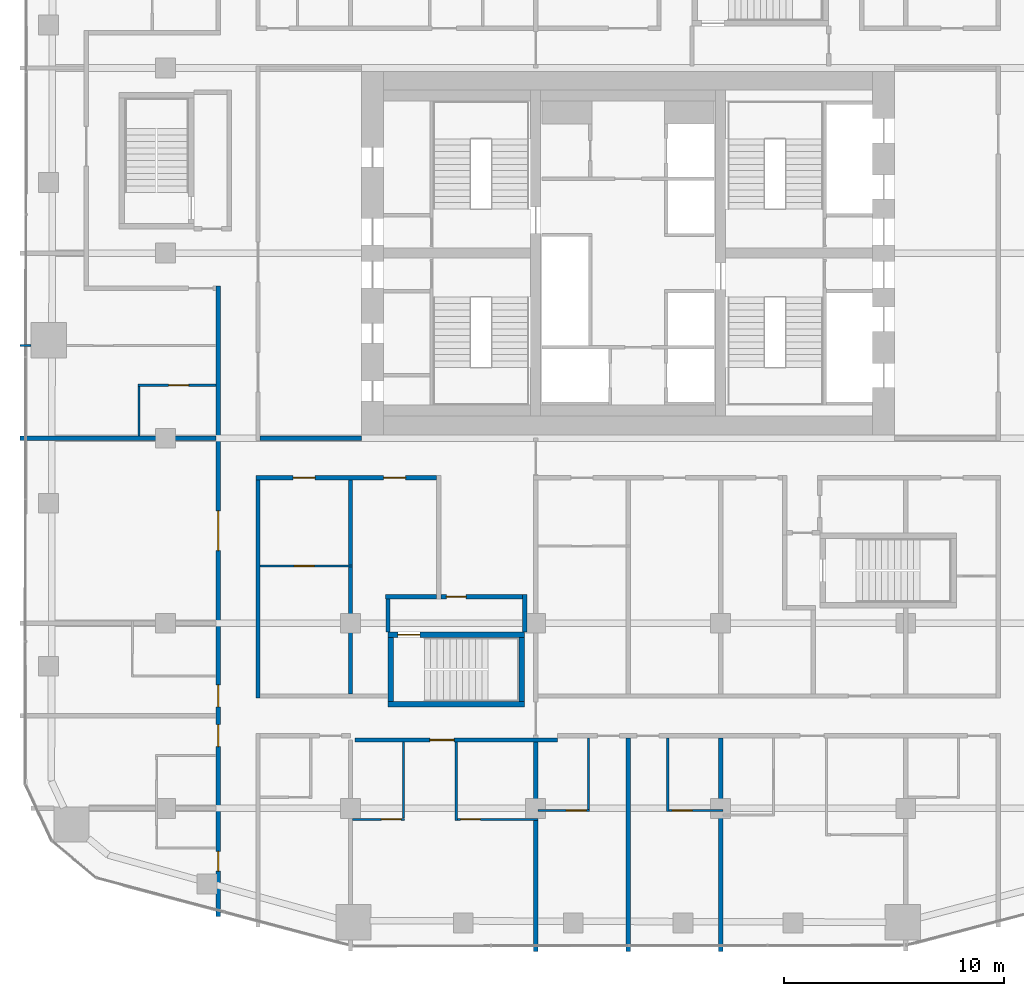
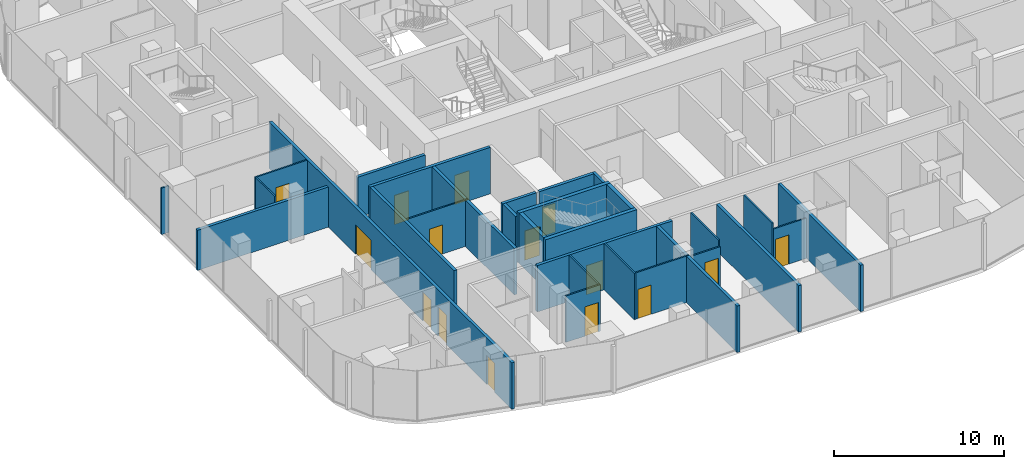
# One storey, part 14 of 23: 30 walls, 15 doors, 15 openings.
"""IFC4 building model written with IfcOpenShell, lengths in metres."""

from ifc_helpers import new_model, si_unit, direction, frame, frame_2d, origin, place, context, subcontext, project, spatial, rectangle, extrude, material, layer, layer_set, type_object, element, fill, save


model = new_model("IFC4")

# Units and contexts
model_context = context("Model", 3, precision=1e-05, world=origin(), true_north=direction((0.0, 1.0)))
body_context = subcontext(model_context, "Body", "Model", "MODEL_VIEW")
ifc_project = project(units=[si_unit("LENGTHUNIT", "METRE"), si_unit("AREAUNIT", "SQUARE_METRE"), si_unit("VOLUMEUNIT", "CUBIC_METRE"), si_unit("PLANEANGLEUNIT", "RADIAN"), si_unit("MASSUNIT", "GRAM", prefix="KILO")], contexts=[model_context])

# Site, building, storey
site_placement = place(None, origin())
site = spatial("IfcSite", under=ifc_project, at=site_placement, CompositionType="ELEMENT")
building_placement = place(site_placement, origin())
building = spatial("IfcBuilding", under=site, at=building_placement, Name="Marenta Gate Hotel Tower", CompositionType="ELEMENT")
storey_placement = place(building_placement, frame((0.0, 0.0, 126.5)))
storey = spatial("IfcBuildingStorey", under=building, at=storey_placement, Name="L28", CompositionType="ELEMENT", Elevation=126.5)

# Walls
ifc_material_1 = material(Name="Concrete blockwork", Category="masonry")
ifc_layer_1 = layer(ifc_material_1, 0.199951171875)
ifc_layer_set_1 = layer_set([ifc_layer_1], Name="Concrete blockwork")
wall_type_1 = type_object("IfcWallType", Name="Compartment wall 200 REI 180", PredefinedType="PARTITIONING", material=ifc_layer_set_1)
wall_1_placement = place(storey_placement, frame((-4.199951171875, -23.300048828125, 0.0), z_axis=(0.0, 0.0, 1.0), x_axis=(0.0, 1.0, 0.0)))
element("IfcWall", 1, at=wall_1_placement, inside=storey, type_object=wall_type_1, Name="L28-PTN-W079", PredefinedType="PARTITIONING", context=body_context, shape_type="SweptSolid", body=[
    extrude(rectangle(XDim=9.5, YDim=0.199951171875, at=frame_2d((4.75, 0.0))), origin(), (0.0, 0.0, 1.0), 3.340087890625),
])
ifc_material_2 = material(Name="Concrete blockwork", Category="masonry")
ifc_layer_2 = layer(ifc_material_2, 0.199951171875)
ifc_layer_set_2 = layer_set([ifc_layer_2], Name="Concrete blockwork")
wall_type_2 = type_object("IfcWallType", Name="Core boundary wall 200 REI 180", PredefinedType="PARTITIONING", material=ifc_layer_set_2)
wall_2_placement = place(storey_placement, frame((-16.699951171875, 0.0, 0.0), z_axis=(0.0, 0.0, 1.0), x_axis=(1.0, 0.0, 0.0)))
element("IfcWall", 2, at=wall_2_placement, inside=storey, type_object=wall_type_2, Name="L28-CP-EW-WS", PredefinedType="PARTITIONING", context=body_context, shape_type="SweptSolid", body=[
    extrude(rectangle(XDim=4.599853515625, YDim=0.199951171875, at=frame_2d((2.2998046875, 0.0))), origin(), (0.0, 0.0, 1.0), 2.889892578125),
])
ifc_material_3 = material(Name="Concrete C40", Category="concrete")
ifc_layer_3 = layer(ifc_material_3, 0.25)
ifc_layer_set_3 = layer_set([ifc_layer_3], Name="Concrete C40")
wall_type_3 = type_object("IfcWallType", Name="Remote stair enclosure wall 250 REI 180", PredefinedType="SHEAR", material=ifc_layer_set_3)
wall_3_placement = place(storey_placement, frame((-10.89990234375, -12.074951171875, 0.10009765625), z_axis=(0.0, 0.0, 1.0), x_axis=(1.0, 0.0, 0.0)))
element("IfcWall", 3, at=wall_3_placement, inside=storey, type_object=wall_type_3, Name="L28-RS-Z2-1-W1", PredefinedType="SHEAR", context=body_context, shape_type="SweptSolid", body=[
    extrude(rectangle(XDim=6.199951171875, YDim=0.25, at=frame_2d((3.10009765625, 0.0))), origin(), (0.0, 0.0, 1.0), 3.599853515625),
])

# Wall, opening, door
wall_4_placement = place(storey_placement, frame((-10.89990234375, -8.925048828125, 0.10009765625), z_axis=(0.0, 0.0, 1.0), x_axis=(1.0, 0.0, 0.0)))
wall_4 = element("IfcWall", 4, at=wall_4_placement, inside=storey, type_object=wall_type_3, Name="L28-RS-Z2-1-W2", PredefinedType="SHEAR", context=body_context, shape_type="SweptSolid", body=[
    extrude(rectangle(XDim=6.199951171875, YDim=0.25, at=frame_2d((3.10009765625, 0.0))), origin(), (0.0, 0.0, 1.0), 3.599853515625),
])
opening_1_placement = place(wall_4_placement, frame((0.449951171875, 0.0, 0.0)))
opening_1 = element("IfcOpeningElement", 5, at=opening_1_placement, cuts=wall_4, Name="Opening VD", PredefinedType="OPENING", context=body_context, shape_type="SweptSolid", body=[
    extrude(rectangle(XDim=1.0, YDim=2.10009765625, at=frame_2d((0.5, 1.050048828125))), frame((0.0, 0.125, 0.0), z_axis=(0.0, -1.0, 0.0), x_axis=(1.0, 0.0, 0.0)), (0.0, 0.0, 1.0), 0.25),
])
ifc_material_4 = material(Name="Steel", Category="steel")
door_type_1 = type_object("IfcDoorType", Name="Stair vestibule door 1000x2100 FD60", OperationType="SINGLE_SWING_LEFT", PredefinedType="DOOR", material=ifc_material_4)
door_1_placement = place(opening_1_placement, origin())
door_1 = element("IfcDoor", 6, at=door_1_placement, inside=storey, type_object=door_type_1, Name="VD", OperationType="SINGLE_SWING_LEFT", OverallHeight=2.10009765625, OverallWidth=1.0, PredefinedType="DOOR", context=body_context, shape_type="SweptSolid", body=[
    extrude(rectangle(XDim=1.0, YDim=2.10009765625, at=frame_2d((0.5, 1.050048828125))), frame((0.0, 0.02490234375, 0.0), z_axis=(0.0, -1.0, 0.0), x_axis=(1.0, 0.0, 0.0)), (0.0, 0.0, 1.0), 0.050048828125),
])
fill(opening_1, door_1)

# Walls
for number, where, z_axis, x_axis, name in (
    (7, (-10.77490234375, -11.949951171875, 0.10009765625), (0.0, 0.0, 1.0), (0.0, 1.0, 0.0), "L28-RS-Z2-1-W3"),
    (8, (-4.824951171875, -11.949951171875, 0.10009765625), (0.0, 0.0, 1.0), (0.0, 1.0, 0.0), "L28-RS-Z2-1-W4"),
):
    element("IfcWall", number, at=place(storey_placement, frame(where, z_axis=z_axis, x_axis=x_axis)), inside=storey, type_object=wall_type_3, Name=name, PredefinedType="SHEAR", context=body_context, shape_type="SweptSolid", body=[
        extrude(rectangle(XDim=2.89990234375, YDim=0.25, at=frame_2d((1.449951171875, 0.0))), origin(), (0.0, 0.0, 1.0), 3.599853515625),
    ])

# Wall, opening, door
ifc_material_5 = material(Name="Gypsum board on steel stud", Category="steel")
ifc_layer_4 = layer(ifc_material_5, 0.199951171875)
ifc_layer_set_4 = layer_set([ifc_layer_4], Name="Gypsum board on steel stud")
wall_type_4 = type_object("IfcWallType", Name="Room corridor wall 200 EI 60", PredefinedType="PARTITIONING", material=ifc_layer_set_4)
wall_5_placement = place(storey_placement, frame((-12.39990234375, -13.699951171875, 0.0), z_axis=(0.0, 0.0, 1.0), x_axis=(1.0, 0.0, 0.0)))
wall_5 = element("IfcWall", 9, at=wall_5_placement, inside=storey, type_object=wall_type_4, Name="L28-PTN-W030", PredefinedType="PARTITIONING", context=body_context, shape_type="SweptSolid", body=[
    extrude(rectangle(XDim=9.199951171875, YDim=0.199951171875, at=frame_2d((4.60009765625, 0.0))), origin(), (0.0, 0.0, 1.0), 3.340087890625),
])
opening_2_placement = place(wall_5_placement, frame((3.39990234375, 0.0, 0.0)))
opening_2 = element("IfcOpeningElement", 10, at=opening_2_placement, cuts=wall_5, Name="Opening G10-42", PredefinedType="OPENING", context=body_context, shape_type="SweptSolid", body=[
    extrude(rectangle(XDim=1.10009765625, YDim=2.10009765625, at=frame_2d((0.550048828125, 1.050048828125))), frame((0.0, 0.10009765625, 0.0), z_axis=(0.0, -1.0, 0.0), x_axis=(1.0, 0.0, 0.0)), (0.0, 0.0, 1.0), 0.199951171875),
])
ifc_material_6 = material(Name="Timber door leaf", Category="wood")
door_type_2 = type_object("IfcDoorType", Name="Guest room door 1100x2100 EI 30", OperationType="NOTDEFINED", PredefinedType="DOOR", material=ifc_material_6)
door_2_placement = place(opening_2_placement, origin())
door_2 = element("IfcDoor", 11, at=door_2_placement, inside=storey, type_object=door_type_2, Name="L28-PD-D042", OperationType="SINGLE_SWING_LEFT", OverallHeight=2.10009765625, OverallWidth=1.10009765625, PredefinedType="DOOR", context=body_context, shape_type="SweptSolid", body=[
    extrude(rectangle(XDim=1.10009765625, YDim=2.10009765625, at=frame_2d((0.550048828125, 1.050048828125))), frame((0.0, 0.02490234375, 0.0), z_axis=(0.0, -1.0, 0.0), x_axis=(1.0, 0.0, 0.0)), (0.0, 0.0, 1.0), 0.050048828125),
])
fill(opening_2, door_2)

# Wall, openings, doors
wall_6_placement = place(storey_placement, frame((-16.89990234375, -1.800048828125, 0.0), z_axis=(0.0, 0.0, 1.0), x_axis=(1.0, 0.0, 0.0)))
wall_6 = element("IfcWall", 12, at=wall_6_placement, inside=storey, type_object=wall_type_4, Name="L28-PTN-W067", PredefinedType="PARTITIONING", context=body_context, shape_type="SweptSolid", body=[
    extrude(rectangle(XDim=8.199951171875, YDim=0.199951171875, at=frame_2d((4.10009765625, 0.0))), origin(), (0.0, 0.0, 1.0), 3.340087890625),
])
opening_3_placement = place(wall_6_placement, frame((1.699951171875, 0.0, 0.0)))
opening_3 = element("IfcOpeningElement", 13, at=opening_3_placement, cuts=wall_6, Name="Opening G10-01", PredefinedType="OPENING", context=body_context, shape_type="SweptSolid", body=[
    extrude(rectangle(XDim=1.0, YDim=2.10009765625, at=frame_2d((0.5, 1.050048828125))), frame((0.0, 0.10009765625, 0.0), z_axis=(0.0, -1.0, 0.0), x_axis=(1.0, 0.0, 0.0)), (0.0, 0.0, 1.0), 0.199951171875),
])
opening_4_placement = place(wall_6_placement, frame((5.800048828125, 0.0, 0.0)))
opening_4 = element("IfcOpeningElement", 14, at=opening_4_placement, cuts=wall_6, Name="Opening G10-03", PredefinedType="OPENING", context=body_context, shape_type="SweptSolid", body=[
    extrude(rectangle(XDim=1.0, YDim=2.10009765625, at=frame_2d((0.5, 1.050048828125))), frame((0.0, 0.10009765625, 0.0), z_axis=(0.0, -1.0, 0.0), x_axis=(1.0, 0.0, 0.0)), (0.0, 0.0, 1.0), 0.199951171875),
])
ifc_material_7 = material(Name="Timber door leaf", Category="wood")
door_type_3 = type_object("IfcDoorType", Name="Room amenity door 1000x2100 EI 30", OperationType="NOTDEFINED", PredefinedType="DOOR", material=ifc_material_7)
door_3_placement = place(opening_4_placement, origin())
door_3 = element("IfcDoor", 15, at=door_3_placement, inside=storey, type_object=door_type_3, Name="L28-PD-D003", OperationType="SINGLE_SWING_LEFT", OverallHeight=2.10009765625, OverallWidth=1.0, PredefinedType="DOOR", context=body_context, shape_type="SweptSolid", body=[
    extrude(rectangle(XDim=1.0, YDim=2.10009765625, at=frame_2d((0.5, 1.050048828125))), frame((0.0, 0.02490234375, 0.0), z_axis=(0.0, -1.0, 0.0), x_axis=(1.0, 0.0, 0.0)), (0.0, 0.0, 1.0), 0.050048828125),
])
fill(opening_4, door_3)
ifc_material_8 = material(Name="Hollow steel door set", Category="steel")
door_type_4 = type_object("IfcDoorType", Name="Room service door 1000x2100 EI 30", OperationType="NOTDEFINED", PredefinedType="DOOR", material=ifc_material_8)
door_4_placement = place(opening_3_placement, origin())
door_4 = element("IfcDoor", 16, at=door_4_placement, inside=storey, type_object=door_type_4, Name="L28-PD-D001", OperationType="SINGLE_SWING_LEFT", OverallHeight=2.10009765625, OverallWidth=1.0, PredefinedType="DOOR", context=body_context, shape_type="SweptSolid", body=[
    extrude(rectangle(XDim=1.0, YDim=2.10009765625, at=frame_2d((0.5, 1.050048828125))), frame((0.0, 0.02490234375, 0.0), z_axis=(0.0, -1.0, 0.0), x_axis=(1.0, 0.0, 0.0)), (0.0, 0.0, 1.0), 0.050048828125),
])
fill(opening_3, door_4)

# Wall
wall_7_placement = place(storey_placement, frame((-16.800048828125, -11.800048828125, 0.0), z_axis=(0.0, 0.0, 1.0), x_axis=(0.0, 1.0, 0.0)))
element("IfcWall", 17, at=wall_7_placement, inside=storey, type_object=wall_type_4, Name="L28-PTN-W105", PredefinedType="PARTITIONING", context=body_context, shape_type="SweptSolid", body=[
    extrude(rectangle(XDim=9.900146484375, YDim=0.199951171875, at=frame_2d((4.9501953125, 0.0))), origin(), (0.0, 0.0, 1.0), 3.340087890625),
])

# Wall, openings, doors
wall_8_placement = place(storey_placement, frame((-18.60009765625, -21.7080078125, 0.0), z_axis=(0.0, 0.0, 1.0), x_axis=(0.0, 1.0, 0.0)))
wall_8 = element("IfcWall", 18, at=wall_8_placement, inside=storey, type_object=wall_type_4, Name="L28-PTN-W111", PredefinedType="PARTITIONING", context=body_context, shape_type="SweptSolid", body=[
    extrude(rectangle(XDim=28.60791015625, YDim=0.199951171875, at=frame_2d((14.303955078125, 0.0))), origin(), (0.0, 0.0, 1.0), 3.340087890625),
])
opening_5_placement = place(wall_8_placement, frame((2.053955078125, 0.0, 0.0)))
opening_5 = element("IfcOpeningElement", 19, at=opening_5_placement, cuts=wall_8, Name="Opening G10-54", PredefinedType="OPENING", context=body_context, shape_type="SweptSolid", body=[
    extrude(rectangle(XDim=0.89990234375, YDim=2.10009765625, at=frame_2d((0.449951171875, 1.050048828125))), frame((0.0, 0.10009765625, 0.0), z_axis=(0.0, -1.0, 0.0), x_axis=(1.0, 0.0, 0.0)), (0.0, 0.0, 1.0), 0.199951171875),
])
opening_6_placement = place(wall_8_placement, frame((7.7080078125, 0.0, 0.0)))
opening_6 = element("IfcOpeningElement", 20, at=opening_6_placement, cuts=wall_8, Name="Opening G10-56", PredefinedType="OPENING", context=body_context, shape_type="SweptSolid", body=[
    extrude(rectangle(XDim=1.0, YDim=2.10009765625, at=frame_2d((0.5, 1.050048828125))), frame((0.0, 0.10009765625, 0.0), z_axis=(0.0, -1.0, 0.0), x_axis=(1.0, 0.0, 0.0)), (0.0, 0.0, 1.0), 0.199951171875),
])
opening_7_placement = place(wall_8_placement, frame((9.508056640625, 0.0, 0.0)))
opening_7 = element("IfcOpeningElement", 21, at=opening_7_placement, cuts=wall_8, Name="Opening G10-58", PredefinedType="OPENING", context=body_context, shape_type="SweptSolid", body=[
    extrude(rectangle(XDim=1.0, YDim=2.10009765625, at=frame_2d((0.5, 1.050048828125))), frame((0.0, 0.10009765625, 0.0), z_axis=(0.0, -1.0, 0.0), x_axis=(1.0, 0.0, 0.0)), (0.0, 0.0, 1.0), 0.199951171875),
])
opening_8_placement = place(wall_8_placement, frame((16.60791015625, 0.0, 0.0)))
opening_8 = element("IfcOpeningElement", 22, at=opening_8_placement, cuts=wall_8, Name="Opening G10-60", PredefinedType="OPENING", context=body_context, shape_type="SweptSolid", body=[
    extrude(rectangle(XDim=1.800048828125, YDim=2.10009765625, at=frame_2d((0.89990234375, 1.050048828125))), frame((0.0, 0.10009765625, 0.0), z_axis=(0.0, -1.0, 0.0), x_axis=(1.0, 0.0, 0.0)), (0.0, 0.0, 1.0), 0.199951171875),
])
ifc_material_9 = material(Name="Timber door leaf", Category="wood")
door_type_5 = type_object("IfcDoorType", Name="Guest room door 1000x2100 EI 30", OperationType="NOTDEFINED", PredefinedType="DOOR", material=ifc_material_9)
door_5_placement = place(opening_6_placement, origin())
door_5 = element("IfcDoor", 23, at=door_5_placement, inside=storey, type_object=door_type_5, Name="L28-PD-D056", OperationType="SINGLE_SWING_LEFT", OverallHeight=2.10009765625, OverallWidth=1.0, PredefinedType="DOOR", context=body_context, shape_type="SweptSolid", body=[
    extrude(rectangle(XDim=1.0, YDim=2.10009765625, at=frame_2d((0.5, 1.050048828125))), frame((0.0, 0.02490234375, 0.0), z_axis=(0.0, -1.0, 0.0), x_axis=(1.0, 0.0, 0.0)), (0.0, 0.0, 1.0), 0.050048828125),
])
fill(opening_6, door_5)
door_6_placement = place(opening_7_placement, origin())
door_6 = element("IfcDoor", 24, at=door_6_placement, inside=storey, type_object=door_type_5, Name="L28-PD-D058", OperationType="SINGLE_SWING_LEFT", OverallHeight=2.10009765625, OverallWidth=1.0, PredefinedType="DOOR", context=body_context, shape_type="SweptSolid", body=[
    extrude(rectangle(XDim=1.0, YDim=2.10009765625, at=frame_2d((0.5, 1.050048828125))), frame((0.0, 0.02490234375, 0.0), z_axis=(0.0, -1.0, 0.0), x_axis=(1.0, 0.0, 0.0)), (0.0, 0.0, 1.0), 0.050048828125),
])
fill(opening_7, door_6)
ifc_material_10 = material(Name="Timber door leaf", Category="wood")
door_type_6 = type_object("IfcDoorType", Name="Guest room door 900x2100 EI 30", OperationType="NOTDEFINED", PredefinedType="DOOR", material=ifc_material_10)
door_7_placement = place(opening_5_placement, origin())
door_7 = element("IfcDoor", 25, at=door_7_placement, inside=storey, type_object=door_type_6, Name="L28-PD-D054", OperationType="SINGLE_SWING_LEFT", OverallHeight=2.10009765625, OverallWidth=0.89990234375, PredefinedType="DOOR", context=body_context, shape_type="SweptSolid", body=[
    extrude(rectangle(XDim=0.89990234375, YDim=2.10009765625, at=frame_2d((0.449951171875, 1.050048828125))), frame((0.0, 0.02490234375, 0.0), z_axis=(0.0, -1.0, 0.0), x_axis=(1.0, 0.0, 0.0)), (0.0, 0.0, 1.0), 0.050048828125),
])
fill(opening_5, door_7)
ifc_material_11 = material(Name="Timber door leaf", Category="wood")
door_type_7 = type_object("IfcDoorType", Name="Room amenity door 1800x2100 EI 30", OperationType="DOUBLE_DOOR_SINGLE_SWING", PredefinedType="DOOR", material=ifc_material_11)
door_8_placement = place(opening_8_placement, origin())
door_8 = element("IfcDoor", 26, at=door_8_placement, inside=storey, type_object=door_type_7, Name="L28-PD-D060", OperationType="DOUBLE_DOOR_SINGLE_SWING", OverallHeight=2.10009765625, OverallWidth=1.800048828125, PredefinedType="DOOR", context=body_context, shape_type="SweptSolid", body=[
    extrude(rectangle(XDim=1.800048828125, YDim=2.10009765625, at=frame_2d((0.89990234375, 1.050048828125))), frame((0.0, 0.02490234375, 0.0), z_axis=(0.0, -1.0, 0.0), x_axis=(1.0, 0.0, 0.0)), (0.0, 0.0, 1.0), 0.050048828125),
])
fill(opening_8, door_8)

# Wall, opening, door
ifc_material_12 = material(Name="Concrete blockwork", Category="masonry")
ifc_layer_5 = layer(ifc_material_12, 0.199951171875)
ifc_layer_set_5 = layer_set([ifc_layer_5], Name="Concrete blockwork")
wall_type_5 = type_object("IfcWallType", Name="Room corridor wall 200 REI 180", PredefinedType="PARTITIONING", material=ifc_layer_set_5)
wall_9_placement = place(storey_placement, frame((-8.5, -7.199951171875, 0.0), z_axis=(0.0, 0.0, 1.0), x_axis=(1.0, 0.0, 0.0)))
wall_9 = element("IfcWall", 27, at=wall_9_placement, inside=storey, type_object=wall_type_5, Name="L28-PTN-W052", PredefinedType="PARTITIONING", context=body_context, shape_type="SweptSolid", body=[
    extrude(rectangle(XDim=3.699951171875, YDim=0.199951171875, at=frame_2d((1.85009765625, 0.0))), origin(), (0.0, 0.0, 1.0), 3.340087890625),
])
opening_9_placement = place(wall_9_placement, frame((0.25, 0.0, 0.0)))
opening_9 = element("IfcOpeningElement", 28, at=opening_9_placement, cuts=wall_9, Name="Opening G10-70", PredefinedType="OPENING", context=body_context, shape_type="SweptSolid", body=[
    extrude(rectangle(XDim=0.89990234375, YDim=2.10009765625, at=frame_2d((0.449951171875, 1.050048828125))), frame((0.0, 0.10009765625, 0.0), z_axis=(0.0, -1.0, 0.0), x_axis=(1.0, 0.0, 0.0)), (0.0, 0.0, 1.0), 0.199951171875),
])
ifc_material_13 = material(Name="Hollow steel door set", Category="steel")
door_type_8 = type_object("IfcDoorType", Name="Stair vestibule door 900x2100 EI 60", OperationType="NOTDEFINED", PredefinedType="DOOR", material=ifc_material_13)
door_9_placement = place(opening_9_placement, origin())
door_9 = element("IfcDoor", 29, at=door_9_placement, inside=storey, type_object=door_type_8, Name="L28-PD-D070", OperationType="SINGLE_SWING_RIGHT", OverallHeight=2.10009765625, OverallWidth=0.89990234375, PredefinedType="DOOR", context=body_context, shape_type="SweptSolid", body=[
    extrude(rectangle(XDim=0.89990234375, YDim=2.10009765625, at=frame_2d((0.449951171875, 1.050048828125))), frame((0.0, 0.02490234375, 0.0), z_axis=(0.0, -1.0, 0.0), x_axis=(1.0, 0.0, 0.0)), (0.0, 0.0, 1.0), 0.050048828125),
])
fill(opening_9, door_9)

# Wall
wall_10_placement = place(storey_placement, frame((-4.699951171875, -8.800048828125, 0.0), z_axis=(0.0, 0.0, 1.0), x_axis=(0.0, 1.0, 0.0)))
element("IfcWall", 30, at=wall_10_placement, inside=storey, type_object=wall_type_5, Name="L28-PTN-W083", PredefinedType="PARTITIONING", context=body_context, shape_type="SweptSolid", body=[
    extrude(rectangle(XDim=1.699951171875, YDim=0.199951171875, at=frame_2d((0.85009765625, 0.0))), origin(), (0.0, 0.0, 1.0), 3.340087890625),
])

# Wall, opening, door
ifc_material_14 = material(Name="Gypsum board on steel stud", Category="steel")
ifc_layer_6 = layer(ifc_material_14, 0.10009765625)
ifc_layer_set_6 = layer_set([ifc_layer_6], Name="Gypsum board on steel stud")
wall_type_6 = type_object("IfcWallType", Name="Room partition 100", PredefinedType="PARTITIONING", material=ifc_layer_set_6)
wall_11_placement = place(storey_placement, frame((-12.5, -17.300048828125, 0.0), z_axis=(0.0, 0.0, 1.0), x_axis=(1.0, 0.0, 0.0)))
wall_11 = element("IfcWall", 31, at=wall_11_placement, inside=storey, type_object=wall_type_6, Name="L28-PTN-W015", PredefinedType="PARTITIONING", context=body_context, shape_type="SweptSolid", body=[
    extrude(rectangle(XDim=2.35009765625, YDim=0.10009765625, at=frame_2d((1.175048828125, 0.0))), origin(), (0.0, 0.0, 1.0), 3.340087890625),
])
opening_10_placement = place(wall_11_placement, frame((1.300048828125, 0.0, 0.0)))
opening_10 = element("IfcOpeningElement", 32, at=opening_10_placement, cuts=wall_11, Name="Opening G10-44", PredefinedType="OPENING", context=body_context, shape_type="SweptSolid", body=[
    extrude(rectangle(XDim=0.89990234375, YDim=2.10009765625, at=frame_2d((0.449951171875, 1.050048828125))), frame((0.0, 0.050048828125, 0.0), z_axis=(0.0, -1.0, 0.0), x_axis=(1.0, 0.0, 0.0)), (0.0, 0.0, 1.0), 0.10009765625),
])
ifc_material_15 = material(Name="Timber door leaf", Category="wood")
door_type_9 = type_object("IfcDoorType", Name="Room inner door 900x2100", OperationType="NOTDEFINED", PredefinedType="DOOR", material=ifc_material_15)
door_10_placement = place(opening_10_placement, origin())
door_10 = element("IfcDoor", 33, at=door_10_placement, inside=storey, type_object=door_type_9, Name="L28-PD-D044", OperationType="SINGLE_SWING_RIGHT", OverallHeight=2.10009765625, OverallWidth=0.89990234375, PredefinedType="DOOR", context=body_context, shape_type="SweptSolid", body=[
    extrude(rectangle(XDim=0.89990234375, YDim=2.10009765625, at=frame_2d((0.449951171875, 1.050048828125))), frame((0.0, 0.02490234375, 0.0), z_axis=(0.0, -1.0, 0.0), x_axis=(1.0, 0.0, 0.0)), (0.0, 0.0, 1.0), 0.050048828125),
])
fill(opening_10, door_10)

wall_12_placement = place(storey_placement, frame((-7.75, -17.300048828125, 0.0), z_axis=(0.0, 0.0, 1.0), x_axis=(1.0, 0.0, 0.0)))
wall_12 = element("IfcWall", 34, at=wall_12_placement, inside=storey, type_object=wall_type_6, Name="L28-PTN-W016", PredefinedType="PARTITIONING", context=body_context, shape_type="SweptSolid", body=[
    extrude(rectangle(XDim=3.64990234375, YDim=0.10009765625, at=frame_2d((1.824951171875, 0.0))), origin(), (0.0, 0.0, 1.0), 3.340087890625),
])
opening_11_placement = place(wall_12_placement, frame((0.14990234375, 0.0, 0.0)))
opening_11 = element("IfcOpeningElement", 35, at=opening_11_placement, cuts=wall_12, Name="Opening G10-43", PredefinedType="OPENING", context=body_context, shape_type="SweptSolid", body=[
    extrude(rectangle(XDim=0.89990234375, YDim=2.10009765625, at=frame_2d((0.449951171875, 1.050048828125))), frame((0.0, 0.050048828125, 0.0), z_axis=(0.0, -1.0, 0.0), x_axis=(1.0, 0.0, 0.0)), (0.0, 0.0, 1.0), 0.10009765625),
])
ifc_material_16 = material(Name="Timber door leaf", Category="wood")
door_type_10 = type_object("IfcDoorType", Name="Guest bathroom door 900x2100", OperationType="NOTDEFINED", PredefinedType="DOOR", material=ifc_material_16)
door_11_placement = place(opening_11_placement, origin())
door_11 = element("IfcDoor", 36, at=door_11_placement, inside=storey, type_object=door_type_10, Name="L28-PD-D043", OperationType="SINGLE_SWING_LEFT", OverallHeight=2.10009765625, OverallWidth=0.89990234375, PredefinedType="DOOR", context=body_context, shape_type="SweptSolid", body=[
    extrude(rectangle(XDim=0.89990234375, YDim=2.10009765625, at=frame_2d((0.449951171875, 1.050048828125))), frame((0.0, 0.02490234375, 0.0), z_axis=(0.0, -1.0, 0.0), x_axis=(1.0, 0.0, 0.0)), (0.0, 0.0, 1.0), 0.050048828125),
])
fill(opening_11, door_11)

wall_13_placement = place(storey_placement, frame((-4.10009765625, -16.89990234375, 0.0), z_axis=(0.0, 0.0, 1.0), x_axis=(1.0, 0.0, 0.0)))
wall_13 = element("IfcWall", 37, at=wall_13_placement, inside=storey, type_object=wall_type_6, Name="L28-PTN-W018", PredefinedType="PARTITIONING", context=body_context, shape_type="SweptSolid", body=[
    extrude(rectangle(XDim=2.35009765625, YDim=0.10009765625, at=frame_2d((1.175048828125, 0.0))), origin(), (0.0, 0.0, 1.0), 2.889892578125),
])
opening_12_placement = place(wall_13_placement, frame((1.300048828125, 0.0, 0.0)))
opening_12 = element("IfcOpeningElement", 38, at=opening_12_placement, cuts=wall_13, Name="Opening G10-46", PredefinedType="OPENING", context=body_context, shape_type="SweptSolid", body=[
    extrude(rectangle(XDim=0.89990234375, YDim=2.10009765625, at=frame_2d((0.449951171875, 1.050048828125))), frame((0.0, 0.050048828125, 0.0), z_axis=(0.0, -1.0, 0.0), x_axis=(1.0, 0.0, 0.0)), (0.0, 0.0, 1.0), 0.10009765625),
])
door_12_placement = place(opening_12_placement, origin())
door_12 = element("IfcDoor", 39, at=door_12_placement, inside=storey, type_object=door_type_10, Name="L28-PD-D046", OperationType="SINGLE_SWING_RIGHT", OverallHeight=2.10009765625, OverallWidth=0.89990234375, PredefinedType="DOOR", context=body_context, shape_type="SweptSolid", body=[
    extrude(rectangle(XDim=0.89990234375, YDim=2.10009765625, at=frame_2d((0.449951171875, 1.050048828125))), frame((0.0, 0.02490234375, 0.0), z_axis=(0.0, -1.0, 0.0), x_axis=(1.0, 0.0, 0.0)), (0.0, 0.0, 1.0), 0.050048828125),
])
fill(opening_12, door_12)

wall_14_placement = place(storey_placement, frame((1.85009765625, -16.89990234375, 0.0), z_axis=(0.0, 0.0, 1.0), x_axis=(1.0, 0.0, 0.0)))
wall_14 = element("IfcWall", 40, at=wall_14_placement, inside=storey, type_object=wall_type_6, Name="L28-PTN-W019", PredefinedType="PARTITIONING", context=body_context, shape_type="SweptSolid", body=[
    extrude(rectangle(XDim=2.449951171875, YDim=0.10009765625, at=frame_2d((1.22509765625, 0.0))), origin(), (0.0, 0.0, 1.0), 2.889892578125),
])
opening_13_placement = place(wall_14_placement, frame((0.14990234375, 0.0, 0.0)))
opening_13 = element("IfcOpeningElement", 41, at=opening_13_placement, cuts=wall_14, Name="Opening G10-48", PredefinedType="OPENING", context=body_context, shape_type="SweptSolid", body=[
    extrude(rectangle(XDim=0.89990234375, YDim=2.10009765625, at=frame_2d((0.449951171875, 1.050048828125))), frame((0.0, 0.050048828125, 0.0), z_axis=(0.0, -1.0, 0.0), x_axis=(1.0, 0.0, 0.0)), (0.0, 0.0, 1.0), 0.10009765625),
])
door_13_placement = place(opening_13_placement, origin())
door_13 = element("IfcDoor", 42, at=door_13_placement, inside=storey, type_object=door_type_10, Name="L28-PD-D048", OperationType="SINGLE_SWING_LEFT", OverallHeight=2.10009765625, OverallWidth=0.89990234375, PredefinedType="DOOR", context=body_context, shape_type="SweptSolid", body=[
    extrude(rectangle(XDim=0.89990234375, YDim=2.10009765625, at=frame_2d((0.449951171875, 1.050048828125))), frame((0.0, 0.02490234375, 0.0), z_axis=(0.0, -1.0, 0.0), x_axis=(1.0, 0.0, 0.0)), (0.0, 0.0, 1.0), 0.050048828125),
])
fill(opening_13, door_13)

wall_15_placement = place(storey_placement, frame((-16.699951171875, -5.800048828125, 0.0), z_axis=(0.0, 0.0, 1.0), x_axis=(1.0, 0.0, 0.0)))
wall_15 = element("IfcWall", 43, at=wall_15_placement, inside=storey, type_object=wall_type_6, Name="L28-PTN-W058", PredefinedType="PARTITIONING", context=body_context, shape_type="SweptSolid", body=[
    extrude(rectangle(XDim=4.199951171875, YDim=0.10009765625, at=frame_2d((2.10009765625, 0.0))), origin(), (0.0, 0.0, 1.0), 3.340087890625),
])
opening_14_placement = place(wall_15_placement, frame((1.550048828125, 0.0, 0.0)))
opening_14 = element("IfcOpeningElement", 44, at=opening_14_placement, cuts=wall_15, Name="Opening G10-02", PredefinedType="OPENING", context=body_context, shape_type="SweptSolid", body=[
    extrude(rectangle(XDim=0.89990234375, YDim=2.10009765625, at=frame_2d((0.449951171875, 1.050048828125))), frame((0.0, 0.050048828125, 0.0), z_axis=(0.0, -1.0, 0.0), x_axis=(1.0, 0.0, 0.0)), (0.0, 0.0, 1.0), 0.10009765625),
])
door_14_placement = place(opening_14_placement, origin())
door_14 = element("IfcDoor", 45, at=door_14_placement, inside=storey, type_object=door_type_9, Name="L28-PD-D002", OperationType="SINGLE_SWING_RIGHT", OverallHeight=2.10009765625, OverallWidth=0.89990234375, PredefinedType="DOOR", context=body_context, shape_type="SweptSolid", body=[
    extrude(rectangle(XDim=0.89990234375, YDim=2.10009765625, at=frame_2d((0.449951171875, 1.050048828125))), frame((0.0, 0.02490234375, 0.0), z_axis=(0.0, -1.0, 0.0), x_axis=(1.0, 0.0, 0.0)), (0.0, 0.0, 1.0), 0.050048828125),
])
fill(opening_14, door_14)

# Walls
wall_16_placement = place(storey_placement, frame((1.800048828125, -16.949951171875, 0.0), z_axis=(0.0, 0.0, 1.0), x_axis=(0.0, 1.0, 0.0)))
element("IfcWall", 46, at=wall_16_placement, inside=storey, type_object=wall_type_6, Name="L28-PTN-W066", PredefinedType="PARTITIONING", context=body_context, shape_type="SweptSolid", body=[
    extrude(rectangle(XDim=3.349853515625, YDim=0.10009765625, at=frame_2d((1.6748046875, 0.0))), origin(), (0.0, 0.0, 1.0), 3.340087890625),
])
wall_17_placement = place(storey_placement, frame((-1.800048828125, -16.85009765625, 0.0), z_axis=(0.0, 0.0, 1.0), x_axis=(0.0, 1.0, 0.0)))
element("IfcWall", 47, at=wall_17_placement, inside=storey, type_object=wall_type_6, Name="L28-PTN-W076", PredefinedType="PARTITIONING", context=body_context, shape_type="SweptSolid", body=[
    extrude(rectangle(XDim=3.25, YDim=0.10009765625, at=frame_2d((1.625, 0.0))), origin(), (0.0, 0.0, 1.0), 3.340087890625),
])

# Wall, opening, door
wall_18_placement = place(storey_placement, frame((-22.25, 2.39990234375, 0.0), z_axis=(0.0, 0.0, 1.0), x_axis=(1.0, 0.0, 0.0)))
wall_18 = element("IfcWall", 48, at=wall_18_placement, inside=storey, type_object=wall_type_6, Name="L28-PTN-W077", PredefinedType="PARTITIONING", context=body_context, shape_type="SweptSolid", body=[
    extrude(rectangle(XDim=3.550048828125, YDim=0.10009765625, at=frame_2d((1.77490234375, 0.0))), origin(), (0.0, 0.0, 1.0), 3.340087890625),
])
opening_15_placement = place(wall_18_placement, frame((1.39990234375, 0.0, 0.0)))
opening_15 = element("IfcOpeningElement", 49, at=opening_15_placement, cuts=wall_18, Name="Opening G10-63", PredefinedType="OPENING", context=body_context, shape_type="SweptSolid", body=[
    extrude(rectangle(XDim=0.89990234375, YDim=2.10009765625, at=frame_2d((0.449951171875, 1.050048828125))), frame((0.0, 0.050048828125, 0.0), z_axis=(0.0, -1.0, 0.0), x_axis=(1.0, 0.0, 0.0)), (0.0, 0.0, 1.0), 0.10009765625),
])
door_15_placement = place(opening_15_placement, origin())
door_15 = element("IfcDoor", 50, at=door_15_placement, inside=storey, type_object=door_type_10, Name="L28-PD-D063", OperationType="SINGLE_SWING_LEFT", OverallHeight=2.10009765625, OverallWidth=0.89990234375, PredefinedType="DOOR", context=body_context, shape_type="SweptSolid", body=[
    extrude(rectangle(XDim=0.89990234375, YDim=2.10009765625, at=frame_2d((0.449951171875, 1.050048828125))), frame((0.0, 0.02490234375, 0.0), z_axis=(0.0, -1.0, 0.0), x_axis=(1.0, 0.0, 0.0)), (0.0, 0.0, 1.0), 0.050048828125),
])
fill(opening_15, door_15)

# Walls
wall_19_placement = place(storey_placement, frame((-27.60009765625, 4.199951171875, 0.0), z_axis=(0.0, 0.0, 1.0), x_axis=(1.0, 0.0, 0.0)))
element("IfcWall", 51, at=wall_19_placement, inside=storey, type_object=wall_type_6, Name="L28-PTN-W082", PredefinedType="PARTITIONING", context=body_context, shape_type="SweptSolid", body=[
    extrude(rectangle(XDim=0.5, YDim=0.10009765625, at=frame_2d((0.25, 0.0))), origin(), (0.0, 0.0, 1.0), 3.340087890625),
])
wall_20_placement = place(storey_placement, frame((-7.800048828125, -17.35009765625, 0.0), z_axis=(0.0, 0.0, 1.0), x_axis=(0.0, 1.0, 0.0)))
element("IfcWall", 52, at=wall_20_placement, inside=storey, type_object=wall_type_6, Name="L28-PTN-W087", PredefinedType="PARTITIONING", context=body_context, shape_type="SweptSolid", body=[
    extrude(rectangle(XDim=3.550048828125, YDim=0.10009765625, at=frame_2d((1.77490234375, 0.0))), origin(), (0.0, 0.0, 1.0), 3.340087890625),
])
wall_21_placement = place(storey_placement, frame((-10.199951171875, -17.25, 0.0), z_axis=(0.0, 0.0, 1.0), x_axis=(0.0, 1.0, 0.0)))
element("IfcWall", 53, at=wall_21_placement, inside=storey, type_object=wall_type_6, Name="L28-PTN-W093", PredefinedType="PARTITIONING", context=body_context, shape_type="SweptSolid", body=[
    extrude(rectangle(XDim=3.449951171875, YDim=0.10009765625, at=frame_2d((1.72509765625, 0.0))), origin(), (0.0, 0.0, 1.0), 3.340087890625),
])
wall_22_placement = place(storey_placement, frame((-22.199951171875, 0.10009765625, 0.0), z_axis=(0.0, 0.0, 1.0), x_axis=(0.0, 1.0, 0.0)))
element("IfcWall", 54, at=wall_22_placement, inside=storey, type_object=wall_type_6, Name="L28-PTN-W122", PredefinedType="PARTITIONING", context=body_context, shape_type="SweptSolid", body=[
    extrude(rectangle(XDim=2.25, YDim=0.10009765625, at=frame_2d((1.125, 0.0))), origin(), (0.0, 0.0, 1.0), 3.340087890625),
])
ifc_material_17 = material(Name="Gypsum board on steel stud", Category="steel")
ifc_layer_7 = layer(ifc_material_17, 0.199951171875)
ifc_layer_set_7 = layer_set([ifc_layer_7], Name="Gypsum board on steel stud")
wall_type_7 = type_object("IfcWallType", Name="Room party wall 200 EI 60", PredefinedType="PARTITIONING", material=ifc_layer_set_7)
for number, where, z_axis, x_axis, name in (
    (55, (4.199951171875, -23.300048828125, 0.0), (0.0, 0.0, 1.0), (0.0, 1.0, 0.0), "L28-PTN-W061"),
    (56, (0.0, -23.300048828125, 0.0), (0.0, 0.0, 1.0), (0.0, 1.0, 0.0), "L28-PTN-W072"),
):
    element("IfcWall", number, at=place(storey_placement, frame(where, z_axis=z_axis, x_axis=x_axis)), inside=storey, type_object=wall_type_7, Name=name, PredefinedType="PARTITIONING", context=body_context, shape_type="SweptSolid", body=[
        extrude(rectangle(XDim=9.699951171875, YDim=0.199951171875, at=frame_2d((4.85009765625, 0.0))), origin(), (0.0, 0.0, 1.0), 3.340087890625),
    ])
wall_23_placement = place(storey_placement, frame((-27.60009765625, 0.0, 0.0), z_axis=(0.0, 0.0, 1.0), x_axis=(1.0, 0.0, 0.0)))
element("IfcWall", 57, at=wall_23_placement, inside=storey, type_object=wall_type_7, Name="L28-PTN-W074", PredefinedType="PARTITIONING", context=body_context, shape_type="SweptSolid", body=[
    extrude(rectangle(XDim=8.900146484375, YDim=0.199951171875, at=frame_2d((4.4501953125, 0.0))), origin(), (0.0, 0.0, 1.0), 2.889892578125),
])
wall_24_placement = place(storey_placement, frame((-12.60009765625, -11.60009765625, 0.0), z_axis=(0.0, 0.0, 1.0), x_axis=(0.0, 1.0, 0.0)))
element("IfcWall", 58, at=wall_24_placement, inside=storey, type_object=wall_type_7, Name="L28-PTN-W097", PredefinedType="PARTITIONING", context=body_context, shape_type="SweptSolid", body=[
    extrude(rectangle(XDim=9.7001953125, YDim=0.199951171875, at=frame_2d((4.85009765625, 0.0))), origin(), (0.0, 0.0, 1.0), 3.340087890625),
])
ifc_material_18 = material(Name="Concrete blockwork", Category="masonry")
ifc_layer_8 = layer(ifc_material_18, 0.199951171875)
ifc_layer_set_8 = layer_set([ifc_layer_8], Name="Concrete blockwork")
wall_type_8 = type_object("IfcWallType", Name="Room party wall 200 REI 180", PredefinedType="PARTITIONING", material=ifc_layer_set_8)
wall_25_placement = place(storey_placement, frame((-11.0, -7.199951171875, 0.0), z_axis=(0.0, 0.0, 1.0), x_axis=(1.0, 0.0, 0.0)))
element("IfcWall", 59, at=wall_25_placement, inside=storey, type_object=wall_type_8, Name="L28-PTN-W051", PredefinedType="PARTITIONING", context=body_context, shape_type="SweptSolid", body=[
    extrude(rectangle(XDim=2.300048828125, YDim=0.199951171875, at=frame_2d((1.14990234375, 0.0))), origin(), (0.0, 0.0, 1.0), 3.340087890625),
])
wall_26_placement = place(storey_placement, frame((-10.89990234375, -8.800048828125, 0.0), z_axis=(0.0, 0.0, 1.0), x_axis=(0.0, 1.0, 0.0)))
element("IfcWall", 60, at=wall_26_placement, inside=storey, type_object=wall_type_8, Name="L28-PTN-W095", PredefinedType="PARTITIONING", context=body_context, shape_type="SweptSolid", body=[
    extrude(rectangle(XDim=1.5, YDim=0.199951171875, at=frame_2d((0.75, 0.0))), origin(), (0.0, 0.0, 1.0), 3.340087890625),
])

save(model, "model.ifc")
